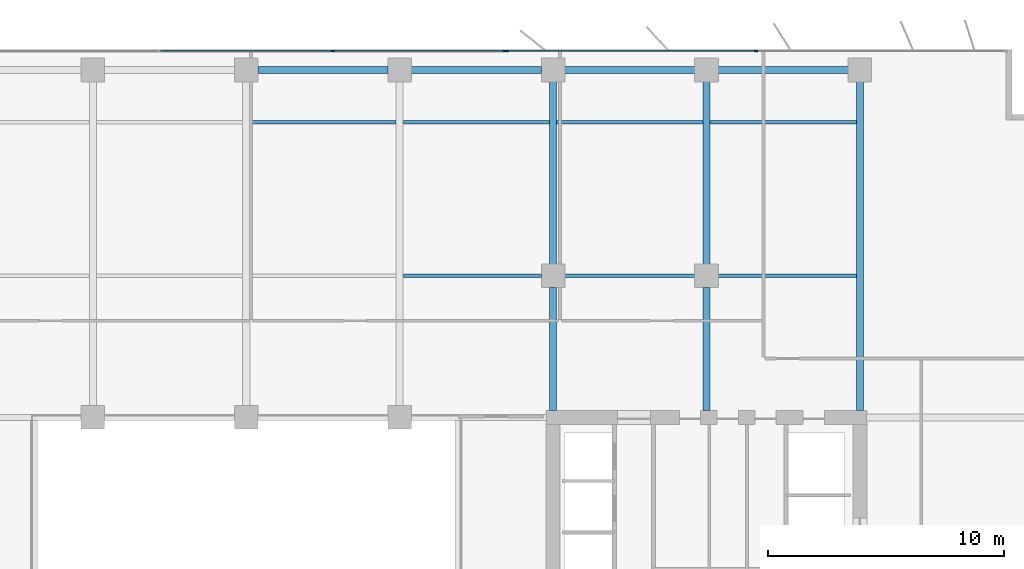
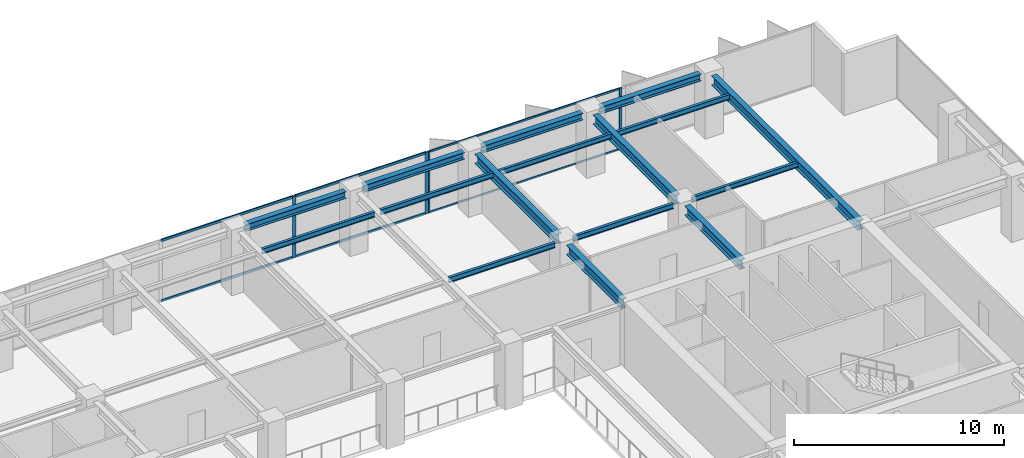
# One storey, part 10 of 22: 16 beams, 10 members, 2 elements without a shape of their own.
"""IFC4 building model written with IfcOpenShell, lengths in metres."""

from ifc_helpers import new_model, si_unit, direction, frame, origin, origin_2d, place, context, subcontext, project, spatial, rectangle, i_section, extrude, material, layer, layer_set, material_profile, profile_set, type_object, element, aggregate, save


model = new_model("IFC4")

# Units and contexts
model_context = context("Model", 3, precision=1e-05, world=origin(), true_north=direction((0.0, 1.0)))
body_context = subcontext(model_context, "Body", "Model", "MODEL_VIEW")
ifc_project = project(units=[si_unit("LENGTHUNIT", "METRE"), si_unit("AREAUNIT", "SQUARE_METRE"), si_unit("VOLUMEUNIT", "CUBIC_METRE"), si_unit("PLANEANGLEUNIT", "RADIAN"), si_unit("MASSUNIT", "GRAM", prefix="KILO")], contexts=[model_context])

# Site, building, storey
site_placement = place(None, origin())
site = spatial("IfcSite", under=ifc_project, at=site_placement, CompositionType="ELEMENT")
building_placement = place(site_placement, origin())
building = spatial("IfcBuilding", under=site, at=building_placement, Name="Putna Gate Headquarters", CompositionType="ELEMENT")
storey_placement = place(building_placement, frame((0.0, 0.0, 148.0)))
storey = spatial("IfcBuildingStorey", under=building, at=storey_placement, Name="L36", CompositionType="ELEMENT", Elevation=148.0)

# Beams
ifc_material_1 = material(Name="Steel S355J2", Category="steel")
ifc_material_profile_1 = material_profile(ifc_material_1, i_section(OverallWidth=0.300048828125, OverallDepth=0.550048828125, WebThickness=0.014892578125, FlangeThickness=0.029052734375, at=origin_2d()), Name="Steel S355J2")
ifc_profile_set_1 = profile_set([ifc_material_profile_1], Name="Steel S355J2")
beam_type_1 = type_object("IfcBeamType", Name="BM-GIRD-Z3-HEB550", PredefinedType="USERDEFINED", material=ifc_profile_set_1)
beam_1_placement = place(storey_placement, frame((52.0, 33.284912109375, 3.297119140625), z_axis=(0.0, 1.0, 0.0), x_axis=(-1.0, 0.0, 0.0)))
element("IfcBeam", 1, at=beam_1_placement, inside=storey, type_object=beam_type_1, Name="L36 North Primary Girder X52-1", ObjectType="GIRDER", PredefinedType="USERDEFINED", context=body_context, shape_type="SweptSolid", body=[
    extrude(i_section(OverallWidth=0.300048828125, OverallDepth=0.550048828125, WebThickness=0.014892578125, FlangeThickness=0.029052734375, at=origin_2d()), origin(), (0.0, 0.0, 1.0), 5.22705078125),
])
beam_2_placement = place(storey_placement, frame((52.0, 39.488037109375, 3.297119140625), z_axis=(0.0, 1.0, 0.0), x_axis=(-1.0, 0.0, 0.0)))
element("IfcBeam", 2, at=beam_2_placement, inside=storey, type_object=beam_type_1, Name="L36 North Primary Girder X52-2", ObjectType="GIRDER", PredefinedType="USERDEFINED", context=body_context, shape_type="SweptSolid", body=[
    extrude(i_section(OverallWidth=0.300048828125, OverallDepth=0.550048828125, WebThickness=0.014892578125, FlangeThickness=0.029052734375, at=origin_2d()), origin(), (0.0, 0.0, 1.0), 7.743896484375),
])
beam_3_placement = place(storey_placement, frame((58.5, 33.284912109375, 3.297119140625), z_axis=(0.0, 1.0, 0.0), x_axis=(-1.0, 0.0, 0.0)))
element("IfcBeam", 3, at=beam_3_placement, inside=storey, type_object=beam_type_1, Name="L36 North Primary Girder X58-1", ObjectType="GIRDER", PredefinedType="USERDEFINED", context=body_context, shape_type="SweptSolid", body=[
    extrude(i_section(OverallWidth=0.300048828125, OverallDepth=0.550048828125, WebThickness=0.014892578125, FlangeThickness=0.029052734375, at=origin_2d()), origin(), (0.0, 0.0, 1.0), 5.22705078125),
])
beam_4_placement = place(storey_placement, frame((58.5, 39.488037109375, 3.297119140625), z_axis=(0.0, 1.0, 0.0), x_axis=(-1.0, 0.0, 0.0)))
element("IfcBeam", 4, at=beam_4_placement, inside=storey, type_object=beam_type_1, Name="L36 North Primary Girder X58-2", ObjectType="GIRDER", PredefinedType="USERDEFINED", context=body_context, shape_type="SweptSolid", body=[
    extrude(i_section(OverallWidth=0.300048828125, OverallDepth=0.550048828125, WebThickness=0.014892578125, FlangeThickness=0.029052734375, at=origin_2d()), origin(), (0.0, 0.0, 1.0), 7.743896484375),
])
beam_5_placement = place(storey_placement, frame((65.0, 33.284912109375, 3.297119140625), z_axis=(0.0, 1.0, 0.0), x_axis=(-1.0, 0.0, 0.0)))
element("IfcBeam", 5, at=beam_5_placement, inside=storey, type_object=beam_type_1, Name="L36 North Primary Girder X65", ObjectType="GIRDER", PredefinedType="USERDEFINED", context=body_context, shape_type="SweptSolid", body=[
    extrude(i_section(OverallWidth=0.300048828125, OverallDepth=0.550048828125, WebThickness=0.014892578125, FlangeThickness=0.029052734375, at=origin_2d()), origin(), (0.0, 0.0, 1.0), 13.947021484375),
])
ifc_material_profile_2 = material_profile(ifc_material_1, i_section(OverallWidth=0.14990234375, OverallDepth=0.300048828125, WebThickness=0.007080078125, FlangeThickness=0.0107421875, at=origin_2d()), Name="Steel S355J2")
ifc_profile_set_2 = profile_set([ifc_material_profile_2], Name="Steel S355J2")
beam_type_2 = type_object("IfcBeamType", Name="BM-SEC-Z3-IPE300", PredefinedType="JOIST", material=ifc_profile_set_2)
beam_6_placement = place(storey_placement, frame((39.154052734375, 45.5, 3.422119140625), z_axis=(1.0, 0.0, 0.0), x_axis=(0.0, 1.0, 0.0)))
element("IfcBeam", 6, at=beam_6_placement, inside=storey, type_object=beam_type_2, Name="L36 North Secondary Beam 5", PredefinedType="JOIST", context=body_context, shape_type="SweptSolid", body=[
    extrude(i_section(OverallWidth=0.14990234375, OverallDepth=0.300048828125, WebThickness=0.007080078125, FlangeThickness=0.0107421875, at=origin_2d()), origin(), (0.0, 0.0, 1.0), 6.19189453125),
])
beam_7_placement = place(storey_placement, frame((45.654052734375, 39.0, 3.422119140625), z_axis=(1.0, 0.0, 0.0), x_axis=(0.0, 1.0, 0.0)))
element("IfcBeam", 7, at=beam_7_placement, inside=storey, type_object=beam_type_2, Name="L36 North Secondary Beam 6", PredefinedType="JOIST", context=body_context, shape_type="SweptSolid", body=[
    extrude(i_section(OverallWidth=0.14990234375, OverallDepth=0.300048828125, WebThickness=0.007080078125, FlangeThickness=0.0107421875, at=origin_2d()), origin(), (0.0, 0.0, 1.0), 5.85791015625),
])
beam_8_placement = place(storey_placement, frame((45.654052734375, 45.5, 3.422119140625), z_axis=(1.0, 0.0, 0.0), x_axis=(0.0, 1.0, 0.0)))
element("IfcBeam", 8, at=beam_8_placement, inside=storey, type_object=beam_type_2, Name="L36 North Secondary Beam 6", PredefinedType="JOIST", context=body_context, shape_type="SweptSolid", body=[
    extrude(i_section(OverallWidth=0.14990234375, OverallDepth=0.300048828125, WebThickness=0.007080078125, FlangeThickness=0.0107421875, at=origin_2d()), origin(), (0.0, 0.0, 1.0), 6.19189453125),
])
beam_9_placement = place(storey_placement, frame((52.488037109375, 39.0, 3.422119140625), z_axis=(1.0, 0.0, 0.0), x_axis=(0.0, 1.0, 0.0)))
element("IfcBeam", 9, at=beam_9_placement, inside=storey, type_object=beam_type_2, Name="L36 North Secondary Beam 7", PredefinedType="JOIST", context=body_context, shape_type="SweptSolid", body=[
    extrude(i_section(OverallWidth=0.14990234375, OverallDepth=0.300048828125, WebThickness=0.007080078125, FlangeThickness=0.0107421875, at=origin_2d()), origin(), (0.0, 0.0, 1.0), 5.52392578125),
])
beam_10_placement = place(storey_placement, frame((52.154052734375, 45.5, 3.422119140625), z_axis=(1.0, 0.0, 0.0), x_axis=(0.0, 1.0, 0.0)))
element("IfcBeam", 10, at=beam_10_placement, inside=storey, type_object=beam_type_2, Name="L36 North Secondary Beam 7", PredefinedType="JOIST", context=body_context, shape_type="SweptSolid", body=[
    extrude(i_section(OverallWidth=0.14990234375, OverallDepth=0.300048828125, WebThickness=0.007080078125, FlangeThickness=0.0107421875, at=origin_2d()), origin(), (0.0, 0.0, 1.0), 6.19189453125),
])
beam_11_placement = place(storey_placement, frame((58.988037109375, 39.0, 3.422119140625), z_axis=(1.0, 0.0, 0.0), x_axis=(0.0, 1.0, 0.0)))
element("IfcBeam", 11, at=beam_11_placement, inside=storey, type_object=beam_type_2, Name="L36 North Secondary Beam 8", PredefinedType="JOIST", context=body_context, shape_type="SweptSolid", body=[
    extrude(i_section(OverallWidth=0.14990234375, OverallDepth=0.300048828125, WebThickness=0.007080078125, FlangeThickness=0.0107421875, at=origin_2d()), origin(), (0.0, 0.0, 1.0), 5.85791015625),
])
beam_12_placement = place(storey_placement, frame((58.654052734375, 45.5, 3.422119140625), z_axis=(1.0, 0.0, 0.0), x_axis=(0.0, 1.0, 0.0)))
element("IfcBeam", 12, at=beam_12_placement, inside=storey, type_object=beam_type_2, Name="L36 North Secondary Beam 8", PredefinedType="JOIST", context=body_context, shape_type="SweptSolid", body=[
    extrude(i_section(OverallWidth=0.14990234375, OverallDepth=0.300048828125, WebThickness=0.007080078125, FlangeThickness=0.0107421875, at=origin_2d()), origin(), (0.0, 0.0, 1.0), 6.19189453125),
])
ifc_material_profile_3 = material_profile(ifc_material_1, i_section(OverallWidth=0.300048828125, OverallDepth=0.39990234375, WebThickness=0.013427734375, FlangeThickness=0.02392578125, at=origin_2d()), Name="Steel S355J2")
ifc_profile_set_3 = profile_set([ifc_material_profile_3], Name="Steel S355J2")
beam_type_3 = type_object("IfcBeamType", Name="BM-SPAN-Z3-HEB400", PredefinedType="SPANDREL", material=ifc_profile_set_3)
for number, where, z_axis, x_axis, name in (
    (13, (39.488037109375, 47.719970703125, 3.3720703125), (1.0, 0.0, 0.0), (0.0, 1.0, 0.0), "L36 N Perimeter Spandrel 5"),
    (14, (45.988037109375, 47.719970703125, 3.3720703125), (1.0, 0.0, 0.0), (0.0, 1.0, 0.0), "L36 N Perimeter Spandrel 6"),
    (15, (52.488037109375, 47.719970703125, 3.3720703125), (1.0, 0.0, 0.0), (0.0, 1.0, 0.0), "L36 N Perimeter Spandrel 7"),
    (16, (58.988037109375, 47.719970703125, 3.3720703125), (1.0, 0.0, 0.0), (0.0, 1.0, 0.0), "L36 N Perimeter Spandrel 8"),
):
    element("IfcBeam", number, at=place(storey_placement, frame(where, z_axis=z_axis, x_axis=x_axis)), inside=storey, type_object=beam_type_3, Name=name, PredefinedType="SPANDREL", context=body_context, shape_type="SweptSolid", body=[
        extrude(i_section(OverallWidth=0.300048828125, OverallDepth=0.39990234375, WebThickness=0.013427734375, FlangeThickness=0.02392578125, at=origin_2d()), origin(), (0.0, 0.0, 1.0), 5.52392578125),
    ])

# Curtain wall, members
ifc_material_2 = material(Name="Anodised bronze aluminium curtain wall", Category="aluminium")
ifc_layer_1 = layer(ifc_material_2, 0.159912109375)
ifc_layer_set_1 = layer_set([ifc_layer_1], Name="Anodised bronze aluminium curtain wall")
curtain_wall_type_1 = type_object("IfcCurtainWallType", Name="CW-SYS-Z3", PredefinedType="USERDEFINED", material=ifc_layer_set_1)
curtain_wall_1_placement = place(storey_placement, origin())
curtain_wall_1 = element("IfcCurtainWall", 17, at=curtain_wall_1_placement, inside=storey, type_object=curtain_wall_type_1, Name="L36 North East Curtain Wall", ObjectType="STICK CURTAIN WALL", PredefinedType="USERDEFINED")
ifc_material_3 = material(Name="Anodised bronze aluminium EN AW-6060", Category="aluminium")
ifc_material_profile_4 = material_profile(ifc_material_3, rectangle(XDim=0.06494140625, YDim=0.159912109375, at=origin_2d()), Name="Anodised bronze aluminium EN AW-6060")
ifc_profile_set_4 = profile_set([ifc_material_profile_4], Name="Anodised bronze aluminium EN AW-6060")
member_type_1 = type_object("IfcMemberType", Name="MULL-CWM-3", PredefinedType="MULLION", material=ifc_profile_set_4)
member_1_placement = place(storey_placement, frame((50.032470703125, 48.52001953125, 0.0), z_axis=(0.0, 0.0, 1.0), x_axis=(0.0, 1.0, 0.0)))
member_1 = element("IfcMember", 18, at=member_1_placement, type_object=member_type_1, Name="CWS-3 mullion 1", PredefinedType="MULLION", context=body_context, shape_type="SweptSolid", body=[
    extrude(rectangle(XDim=0.06494140625, YDim=0.159912109375, at=origin_2d()), origin(), (0.0, 0.0, 1.0), 3.572021484375),
])
member_2_placement = place(storey_placement, frame((60.60009765625, 48.52001953125, 0.0), z_axis=(0.0, 0.0, 1.0), x_axis=(0.0, 1.0, 0.0)))
member_2 = element("IfcMember", 19, at=member_2_placement, type_object=member_type_1, Name="CWS-3 mullion 2", PredefinedType="MULLION", context=body_context, shape_type="SweptSolid", body=[
    extrude(rectangle(XDim=0.06494140625, YDim=0.159912109375, at=origin_2d()), origin(), (0.0, 0.0, 1.0), 3.572021484375),
])

ifc_layer_2 = layer(ifc_material_2, 0.179931640625)
ifc_layer_set_2 = layer_set([ifc_layer_2], Name="Anodised bronze aluminium curtain wall")
curtain_wall_type_2 = type_object("IfcCurtainWallType", Name="CW-SYS-ATR", PredefinedType="USERDEFINED", material=ifc_layer_set_2)
curtain_wall_2_placement = place(storey_placement, origin())
curtain_wall_2 = element("IfcCurtainWall", 20, at=curtain_wall_2_placement, inside=storey, type_object=curtain_wall_type_2, Name="L36 North Atrium Clear Glazing", ObjectType="ATRIUM GLAZING", PredefinedType="USERDEFINED")
ifc_material_profile_5 = material_profile(ifc_material_3, rectangle(XDim=0.070068359375, YDim=0.179931640625, at=origin_2d()), Name="Anodised bronze aluminium EN AW-6060")
ifc_profile_set_5 = profile_set([ifc_material_profile_5], Name="Anodised bronze aluminium EN AW-6060")
member_type_2 = type_object("IfcMemberType", Name="MULL-CWM-AT", PredefinedType="MULLION", material=ifc_profile_set_5)
member_3_placement = place(storey_placement, frame((42.666748046875, 48.52001953125, 0.0), z_axis=(0.0, 0.0, 1.0), x_axis=(0.0, 1.0, 0.0)))
member_3 = element("IfcMember", 21, at=member_3_placement, type_object=member_type_2, Name="CWS-AT mullion 3", PredefinedType="MULLION", context=body_context, shape_type="SweptSolid", body=[
    extrude(rectangle(XDim=0.070068359375, YDim=0.179931640625, at=origin_2d()), origin(), (0.0, 0.0, 1.0), 3.572021484375),
])
member_4_placement = place(storey_placement, frame((49.965087890625, 48.52001953125, 0.0), z_axis=(0.0, 0.0, 1.0), x_axis=(0.0, 1.0, 0.0)))
member_4 = element("IfcMember", 22, at=member_4_placement, type_object=member_type_2, Name="CWS-AT mullion 4", PredefinedType="MULLION", context=body_context, shape_type="SweptSolid", body=[
    extrude(rectangle(XDim=0.070068359375, YDim=0.179931640625, at=origin_2d()), origin(), (0.0, 0.0, 1.0), 3.572021484375),
])

# Member
ifc_material_profile_6 = material_profile(ifc_material_3, rectangle(XDim=0.06005859375, YDim=0.10009765625, at=origin_2d()), Name="Anodised bronze aluminium EN AW-6060")
ifc_profile_set_6 = profile_set([ifc_material_profile_6], Name="Anodised bronze aluminium EN AW-6060")
member_type_3 = type_object("IfcMemberType", Name="TRAN-CWT-3", PredefinedType="USERDEFINED", material=ifc_profile_set_6)
member_5_placement = place(storey_placement, frame((50.06494140625, 48.52001953125, 0.030029296875), z_axis=(1.0, 0.0, 0.0), x_axis=(0.0, 1.0, 0.0)))
member_5 = element("IfcMember", 23, at=member_5_placement, type_object=member_type_3, Name="CWS-3 transom 1.1", ObjectType="TRANSOM", PredefinedType="USERDEFINED", context=body_context, shape_type="SweptSolid", body=[
    extrude(rectangle(XDim=0.06005859375, YDim=0.10009765625, at=origin_2d()), origin(), (0.0, 0.0, 1.0), 10.50244140625),
])

member_6_placement = place(storey_placement, frame((50.06494140625, 48.52001953125, 3.5419921875), z_axis=(1.0, 0.0, 0.0), x_axis=(0.0, 1.0, 0.0)))
member_6 = element("IfcMember", 24, at=member_6_placement, type_object=member_type_3, Name="CWS-3 transom 1.2", ObjectType="TRANSOM", PredefinedType="USERDEFINED", context=body_context, shape_type="SweptSolid", body=[
    extrude(rectangle(XDim=0.06005859375, YDim=0.10009765625, at=origin_2d()), origin(), (0.0, 0.0, 1.0), 10.50244140625),
])

aggregate(curtain_wall_1, [member_1, member_2, member_5, member_6])

ifc_material_profile_7 = material_profile(ifc_material_3, rectangle(XDim=0.070068359375, YDim=0.139892578125, at=origin_2d()), Name="Anodised bronze aluminium EN AW-6060")
ifc_profile_set_7 = profile_set([ifc_material_profile_7], Name="Anodised bronze aluminium EN AW-6060")
member_type_4 = type_object("IfcMemberType", Name="TRAN-CWT-AT", PredefinedType="USERDEFINED", material=ifc_profile_set_7)
member_7_placement = place(storey_placement, frame((35.368408203125, 48.52001953125, 0.034912109375), z_axis=(1.0, 0.0, 0.0), x_axis=(0.0, 1.0, 0.0)))
member_7 = element("IfcMember", 25, at=member_7_placement, type_object=member_type_4, Name="CWS-AT transom 2.1", ObjectType="TRANSOM", PredefinedType="USERDEFINED", context=body_context, shape_type="SweptSolid", body=[
    extrude(rectangle(XDim=0.070068359375, YDim=0.139892578125, at=origin_2d()), origin(), (0.0, 0.0, 1.0), 7.26318359375),
])

member_8_placement = place(storey_placement, frame((35.368408203125, 48.52001953125, 3.537109375), z_axis=(1.0, 0.0, 0.0), x_axis=(0.0, 1.0, 0.0)))
member_8 = element("IfcMember", 26, at=member_8_placement, type_object=member_type_4, Name="CWS-AT transom 2.2", ObjectType="TRANSOM", PredefinedType="USERDEFINED", context=body_context, shape_type="SweptSolid", body=[
    extrude(rectangle(XDim=0.070068359375, YDim=0.139892578125, at=origin_2d()), origin(), (0.0, 0.0, 1.0), 7.26318359375),
])

member_9_placement = place(storey_placement, frame((42.70166015625, 48.52001953125, 0.034912109375), z_axis=(1.0, 0.0, 0.0), x_axis=(0.0, 1.0, 0.0)))
member_9 = element("IfcMember", 27, at=member_9_placement, type_object=member_type_4, Name="CWS-AT transom 3.1", ObjectType="TRANSOM", PredefinedType="USERDEFINED", context=body_context, shape_type="SweptSolid", body=[
    extrude(rectangle(XDim=0.070068359375, YDim=0.139892578125, at=origin_2d()), origin(), (0.0, 0.0, 1.0), 7.228271484375),
])

member_10_placement = place(storey_placement, frame((42.70166015625, 48.52001953125, 3.537109375), z_axis=(1.0, 0.0, 0.0), x_axis=(0.0, 1.0, 0.0)))
member_10 = element("IfcMember", 28, at=member_10_placement, type_object=member_type_4, Name="CWS-AT transom 3.2", ObjectType="TRANSOM", PredefinedType="USERDEFINED", context=body_context, shape_type="SweptSolid", body=[
    extrude(rectangle(XDim=0.070068359375, YDim=0.139892578125, at=origin_2d()), origin(), (0.0, 0.0, 1.0), 7.228271484375),
])

aggregate(curtain_wall_2, [member_3, member_4, member_7, member_8, member_9, member_10])

save(model, "model.ifc")
